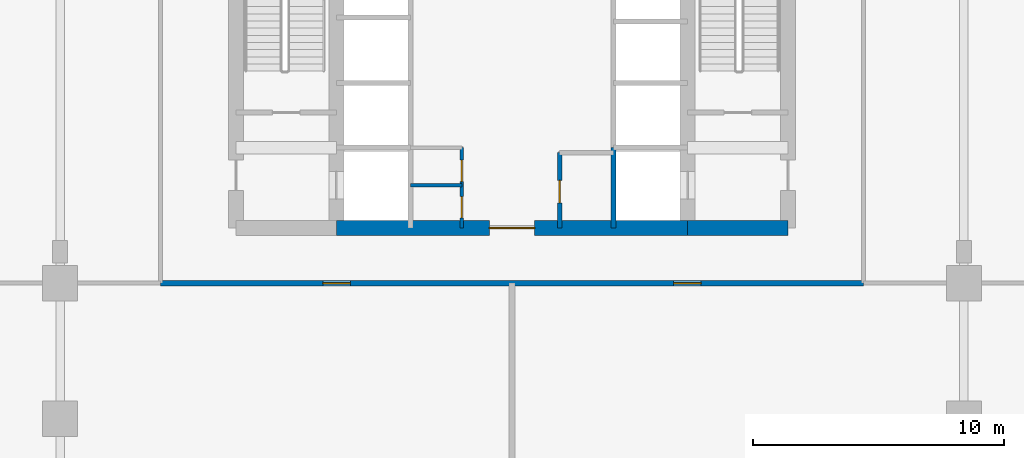
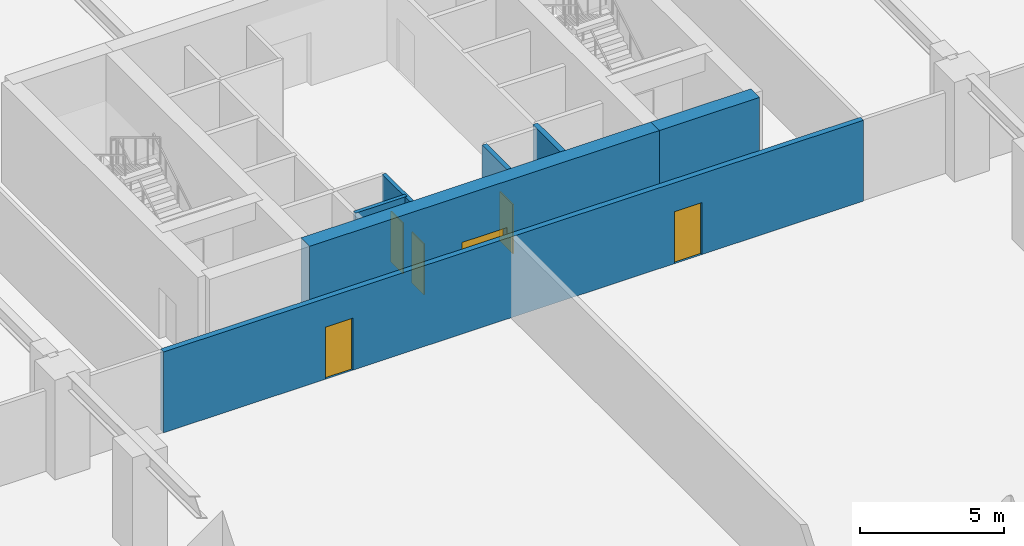
# One storey, part 3 of 11: 7 walls, 6 doors, 6 openings.
"""IFC4 building model written with IfcOpenShell, lengths in metres."""

from ifc_helpers import new_model, si_unit, direction, frame, frame_2d, origin, place, context, subcontext, project, spatial, rectangle, extrude, material, layer, layer_set, type_object, element, fill, save


model = new_model("IFC4")

# Units and contexts
model_context = context("Model", 3, precision=1e-05, world=origin(), true_north=direction((0.0, 1.0)))
body_context = subcontext(model_context, "Body", "Model", "MODEL_VIEW")
ifc_project = project(units=[si_unit("LENGTHUNIT", "METRE"), si_unit("AREAUNIT", "SQUARE_METRE"), si_unit("VOLUMEUNIT", "CUBIC_METRE"), si_unit("PLANEANGLEUNIT", "RADIAN"), si_unit("MASSUNIT", "GRAM", prefix="KILO")], contexts=[model_context])

# Site, building, storey
site_placement = place(None, origin())
site = spatial("IfcSite", under=ifc_project, at=site_placement, CompositionType="ELEMENT")
building_placement = place(site_placement, origin())
building = spatial("IfcBuilding", under=site, at=building_placement, Name="Sarneth Arch Tower", CompositionType="ELEMENT")
storey_placement = place(building_placement, frame((0.0, 0.0, -4.5)))
storey = spatial("IfcBuildingStorey", under=building, at=storey_placement, Name="B01", CompositionType="ELEMENT", Elevation=-4.5)

# Wall, opening, door
ifc_material_1 = material(Name="Concrete C60/75", Category="concrete")
ifc_layer_1 = layer(ifc_material_1, 0.60009765625)
ifc_layer_set_1 = layer_set([ifc_layer_1], Name="Concrete C60/75")
wall_type_1 = type_object("IfcWallType", Name="WALL-CORE-600", PredefinedType="SHEAR", material=ifc_layer_set_1)
wall_1_placement = place(storey_placement, frame((41.0, 35.199951171875, 0.0), z_axis=(0.0, 0.0, 1.0), x_axis=(1.0, 0.0, 0.0)))
wall_1 = element("IfcWall", 1, at=wall_1_placement, inside=storey, type_object=wall_type_1, Name="B01 Core shear wall S-M", PredefinedType="SHEAR", context=body_context, shape_type="SweptSolid", body=[
    extrude(rectangle(XDim=14.0, YDim=0.60009765625, at=frame_2d((7.0, 0.0))), origin(), (0.0, 0.0, 1.0), 4.219970703125),
])
opening_1_placement = place(wall_1_placement, frame((6.10009765625, 0.0, 0.0)))
opening_1 = element("IfcOpeningElement", 2, at=opening_1_placement, cuts=wall_1, Name="Opening FD-01", PredefinedType="OPENING", context=body_context, shape_type="SweptSolid", body=[
    extrude(rectangle(XDim=1.800048828125, YDim=2.25, at=frame_2d((0.89990234375, 1.125))), frame((0.0, 0.31005859375, 0.0), z_axis=(0.0, -1.0, 0.0), x_axis=(1.0, 0.0, 0.0)), (0.0, 0.0, 1.0), 0.6201171875),
])
ifc_material_2 = material(Name="Galvanised Steel S275 fire door set", Category="steel")
door_type_1 = type_object("IfcDoorType", Name="DR-FD90-1800", OperationType="DOUBLE_DOOR_SINGLE_SWING", PredefinedType="DOOR", material=ifc_material_2)
door_1_placement = place(opening_1_placement, origin())
door_1 = element("IfcDoor", 3, at=door_1_placement, inside=storey, type_object=door_type_1, Name="B01 Central lift lobby south door", OperationType="DOUBLE_DOOR_SINGLE_SWING", OverallHeight=2.25, OverallWidth=1.800048828125, PredefinedType="DOOR", context=body_context, shape_type="SweptSolid", body=[
    extrude(rectangle(XDim=1.800048828125, YDim=2.25, at=frame_2d((0.89990234375, 1.125))), frame((0.0, 0.02490234375, 0.0), z_axis=(0.0, -1.0, 0.0), x_axis=(1.0, 0.0, 0.0)), (0.0, 0.0, 1.0), 0.050048828125),
])
fill(opening_1, door_1)

# Wall
wall_2_placement = place(storey_placement, frame((55.0, 35.199951171875, 0.0), z_axis=(0.0, 0.0, 1.0), x_axis=(1.0, 0.0, 0.0)))
element("IfcWall", 4, at=wall_2_placement, inside=storey, type_object=wall_type_1, Name="B01 Core shear wall S-E", PredefinedType="SHEAR", context=body_context, shape_type="SweptSolid", body=[
    extrude(rectangle(XDim=4.0, YDim=0.60009765625, at=frame_2d((2.0, 0.0))), origin(), (0.0, 0.0, 1.0), 4.219970703125),
])

# Wall, openings, doors
ifc_material_3 = material(Name="Aerated concrete blockwork C25/30", Category="masonry")
ifc_layer_2 = layer(ifc_material_3, 0.219970703125)
ifc_layer_set_2 = layer_set([ifc_layer_2], Name="Aerated concrete blockwork C25/30")
wall_type_2 = type_object("IfcWallType", Name="WALL-FIRE-220", PredefinedType="SOLIDWALL", material=ifc_layer_set_2)
wall_3_placement = place(storey_placement, frame((62.0, 33.0, 0.0), z_axis=(0.0, 0.0, 1.0), x_axis=(-1.0, 0.0, 0.0)))
wall_3 = element("IfcWall", 5, at=wall_3_placement, inside=storey, type_object=wall_type_2, Name="B01 Interior partition W-B01-TP-005", PredefinedType="SOLIDWALL", context=body_context, shape_type="SweptSolid", body=[
    extrude(rectangle(XDim=28.0, YDim=0.219970703125, at=frame_2d((14.0, 0.0))), origin(), (0.0, 0.0, 1.0), 3.419921875),
])
opening_2_placement = place(wall_3_placement, frame((20.43408203125, 0.0, 0.0)))
opening_2 = element("IfcOpeningElement", 6, at=opening_2_placement, cuts=wall_3, Name="Opening FD-07", PredefinedType="OPENING", context=body_context, shape_type="SweptSolid", body=[
    extrude(rectangle(XDim=1.10009765625, YDim=2.199951171875, at=frame_2d((0.550048828125, 1.10009765625))), frame((0.0, 0.119873046875, 0.0), z_axis=(0.0, -1.0, 0.0), x_axis=(1.0, 0.0, 0.0)), (0.0, 0.0, 1.0), 0.239990234375),
])
opening_3_placement = place(wall_3_placement, frame((6.466064453125, 0.0, 0.0)))
opening_3 = element("IfcOpeningElement", 7, at=opening_3_placement, cuts=wall_3, Name="Opening FD-07", PredefinedType="OPENING", context=body_context, shape_type="SweptSolid", body=[
    extrude(rectangle(XDim=1.10009765625, YDim=2.199951171875, at=frame_2d((0.550048828125, 1.10009765625))), frame((0.0, 0.119873046875, 0.0), z_axis=(0.0, -1.0, 0.0), x_axis=(1.0, 0.0, 0.0)), (0.0, 0.0, 1.0), 0.239990234375),
])
ifc_material_4 = material(Name="Hardwood timber acoustic fire door", Category="wood")
door_type_2 = type_object("IfcDoorType", Name="DR-FD60-1100", OperationType="SINGLE_SWING_RIGHT", PredefinedType="DOOR", material=ifc_material_4)
door_2_placement = place(opening_2_placement, origin())
door_2 = element("IfcDoor", 8, at=door_2_placement, inside=storey, type_object=door_type_2, Name="B01 Interior door DR-B01-GEN", OperationType="SINGLE_SWING_LEFT", OverallHeight=2.199951171875, OverallWidth=1.10009765625, PredefinedType="DOOR", context=body_context, shape_type="SweptSolid", body=[
    extrude(rectangle(XDim=1.10009765625, YDim=2.199951171875, at=frame_2d((0.550048828125, 1.10009765625))), frame((0.0, 0.02490234375, 0.0), z_axis=(0.0, -1.0, 0.0), x_axis=(1.0, 0.0, 0.0)), (0.0, 0.0, 1.0), 0.050048828125),
])
fill(opening_2, door_2)
door_3_placement = place(opening_3_placement, origin())
door_3 = element("IfcDoor", 9, at=door_3_placement, inside=storey, type_object=door_type_2, Name="B01 Interior door DR-B01-STORE", OperationType="SINGLE_SWING_RIGHT", OverallHeight=2.199951171875, OverallWidth=1.10009765625, PredefinedType="DOOR", context=body_context, shape_type="SweptSolid", body=[
    extrude(rectangle(XDim=1.10009765625, YDim=2.199951171875, at=frame_2d((0.550048828125, 1.10009765625))), frame((0.0, 0.02490234375, 0.0), z_axis=(0.0, -1.0, 0.0), x_axis=(1.0, 0.0, 0.0)), (0.0, 0.0, 1.0), 0.050048828125),
])
fill(opening_3, door_3)

# Wall
ifc_material_5 = material(Name="Acoustic gypsum stud partition", Category="gypsum")
ifc_layer_3 = layer(ifc_material_5, 0.14990234375)
ifc_layer_set_3 = layer_set([ifc_layer_3], Name="Acoustic gypsum stud partition")
wall_type_3 = type_object("IfcWallType", Name="WALL-PART-150", PredefinedType="PARTITIONING", material=ifc_layer_set_3)
wall_4_placement = place(storey_placement, frame((43.949951171875, 36.89990234375, 0.0), z_axis=(0.0, 0.0, 1.0), x_axis=(1.0, 0.0, 0.0)))
element("IfcWall", 10, at=wall_4_placement, inside=storey, type_object=wall_type_3, Name="B01 Interior partition W-B01-CSUP-M", PredefinedType="PARTITIONING", context=body_context, shape_type="SweptSolid", body=[
    extrude(rectangle(XDim=2.050048828125, YDim=0.14990234375, at=frame_2d((1.02490234375, 0.0))), origin(), (0.0, 0.0, 1.0), 3.419921875),
])

# Wall, openings, doors
wall_5_placement = place(storey_placement, frame((46.0, 35.199951171875, 0.0), z_axis=(0.0, 0.0, 1.0), x_axis=(0.0, 1.0, 0.0)))
wall_5 = element("IfcWall", 11, at=wall_5_placement, inside=storey, type_object=wall_type_3, Name="B01 Interior partition W-B01-CSUP-E", PredefinedType="PARTITIONING", context=body_context, shape_type="SweptSolid", body=[
    extrude(rectangle(XDim=3.199951171875, YDim=0.14990234375, at=frame_2d((1.60009765625, 0.0))), origin(), (0.0, 0.0, 1.0), 3.419921875),
])
opening_4_placement = place(wall_5_placement, frame((0.39990234375, 0.0, 0.0)))
opening_4 = element("IfcOpeningElement", 12, at=opening_4_placement, cuts=wall_5, Name="Opening FD-11", PredefinedType="OPENING", context=body_context, shape_type="SweptSolid", body=[
    extrude(rectangle(XDim=0.85009765625, YDim=2.14990234375, at=frame_2d((0.425048828125, 1.074951171875))), frame((0.0, 0.0849609375, 0.0), z_axis=(0.0, -1.0, 0.0), x_axis=(1.0, 0.0, 0.0)), (0.0, 0.0, 1.0), 0.169921875),
])
opening_5_placement = place(wall_5_placement, frame((1.85009765625, 0.0, 0.0)))
opening_5 = element("IfcOpeningElement", 13, at=opening_5_placement, cuts=wall_5, Name="Opening FD-11", PredefinedType="OPENING", context=body_context, shape_type="SweptSolid", body=[
    extrude(rectangle(XDim=0.85009765625, YDim=2.14990234375, at=frame_2d((0.425048828125, 1.074951171875))), frame((0.0, 0.0849609375, 0.0), z_axis=(0.0, -1.0, 0.0), x_axis=(1.0, 0.0, 0.0)), (0.0, 0.0, 1.0), 0.169921875),
])
ifc_material_6 = material(Name="Galvanised Steel S275 closet fire door", Category="steel")
door_type_3 = type_object("IfcDoorType", Name="DR-FD60-850", OperationType="SINGLE_SWING_LEFT", PredefinedType="DOOR", material=ifc_material_6)
door_4_placement = place(opening_4_placement, origin())
door_4 = element("IfcDoor", 14, at=door_4_placement, inside=storey, type_object=door_type_3, Name="B01 Interior door DR-B01-CSUP1", OperationType="SINGLE_SWING_LEFT", OverallHeight=2.14990234375, OverallWidth=0.85009765625, PredefinedType="DOOR", context=body_context, shape_type="SweptSolid", body=[
    extrude(rectangle(XDim=0.85009765625, YDim=2.14990234375, at=frame_2d((0.425048828125, 1.074951171875))), frame((0.0, 0.02490234375, 0.0), z_axis=(0.0, -1.0, 0.0), x_axis=(1.0, 0.0, 0.0)), (0.0, 0.0, 1.0), 0.050048828125),
])
fill(opening_4, door_4)
door_5_placement = place(opening_5_placement, origin())
door_5 = element("IfcDoor", 15, at=door_5_placement, inside=storey, type_object=door_type_3, Name="B01 Interior door DR-B01-CSUP2", OperationType="SINGLE_SWING_RIGHT", OverallHeight=2.14990234375, OverallWidth=0.85009765625, PredefinedType="DOOR", context=body_context, shape_type="SweptSolid", body=[
    extrude(rectangle(XDim=0.85009765625, YDim=2.14990234375, at=frame_2d((0.425048828125, 1.074951171875))), frame((0.0, 0.02490234375, 0.0), z_axis=(0.0, -1.0, 0.0), x_axis=(1.0, 0.0, 0.0)), (0.0, 0.0, 1.0), 0.050048828125),
])
fill(opening_5, door_5)

# Wall, opening, door
ifc_material_7 = material(Name="Moisture-resistant plumbing chase wall", Category="gypsum")
ifc_layer_4 = layer(ifc_material_7, 0.179931640625)
ifc_layer_set_4 = layer_set([ifc_layer_4], Name="Moisture-resistant plumbing chase wall")
wall_type_4 = type_object("IfcWallType", Name="WALL-PLUMB-180", PredefinedType="PLUMBINGWALL", material=ifc_layer_set_4)
wall_6_placement = place(storey_placement, frame((49.89990234375, 35.199951171875, 0.0), z_axis=(0.0, 0.0, 1.0), x_axis=(0.0, 1.0, 0.0)))
wall_6 = element("IfcWall", 16, at=wall_6_placement, inside=storey, type_object=wall_type_4, Name="B01 Interior partition W-B01-AWC-W", PredefinedType="PLUMBINGWALL", context=body_context, shape_type="SweptSolid", body=[
    extrude(rectangle(XDim=3.0, YDim=0.179931640625, at=frame_2d((1.5, 0.0))), origin(), (0.0, 0.0, 1.0), 3.419921875),
])
opening_6_placement = place(wall_6_placement, frame((1.0, 0.0, 0.0)))
opening_6 = element("IfcOpeningElement", 17, at=opening_6_placement, cuts=wall_6, Name="Opening ID-01", PredefinedType="OPENING", context=body_context, shape_type="SweptSolid", body=[
    extrude(rectangle(XDim=0.89990234375, YDim=2.10009765625, at=frame_2d((0.449951171875, 1.050048828125))), frame((0.0, 0.099853515625, 0.0), z_axis=(0.0, -1.0, 0.0), x_axis=(1.0, 0.0, 0.0)), (0.0, 0.0, 1.0), 0.199951171875),
])
ifc_material_8 = material(Name="Engineered hardwood flush door", Category="wood")
door_type_4 = type_object("IfcDoorType", Name="DR-INT-900", OperationType="SINGLE_SWING_LEFT", PredefinedType="DOOR", material=ifc_material_8)
door_6_placement = place(opening_6_placement, origin())
door_6 = element("IfcDoor", 18, at=door_6_placement, inside=storey, type_object=door_type_4, Name="B01 Interior door DR-B01-AWC", OperationType="SINGLE_SWING_RIGHT", OverallHeight=2.10009765625, OverallWidth=0.89990234375, PredefinedType="DOOR", context=body_context, shape_type="SweptSolid", body=[
    extrude(rectangle(XDim=0.89990234375, YDim=2.10009765625, at=frame_2d((0.449951171875, 1.050048828125))), frame((0.0, 0.02490234375, 0.0), z_axis=(0.0, -1.0, 0.0), x_axis=(1.0, 0.0, 0.0)), (0.0, 0.0, 1.0), 0.050048828125),
])
fill(opening_6, door_6)

# Wall
ifc_material_9 = material(Name="Aerated concrete blockwork C25/30", Category="masonry")
ifc_layer_5 = layer(ifc_material_9, 0.199951171875)
ifc_layer_set_5 = layer_set([ifc_layer_5], Name="Aerated concrete blockwork C25/30")
wall_type_5 = type_object("IfcWallType", Name="WALL-SHAFT-200", PredefinedType="SOLIDWALL", material=ifc_layer_set_5)
wall_7_placement = place(storey_placement, frame((52.050048828125, 35.199951171875, 0.0), z_axis=(0.0, 0.0, 1.0), x_axis=(0.0, 1.0, 0.0)))
element("IfcWall", 19, at=wall_7_placement, inside=storey, type_object=wall_type_5, Name="B01 Interior partition W-B01-FL2-W", PredefinedType="SOLIDWALL", context=body_context, shape_type="SweptSolid", body=[
    extrude(rectangle(XDim=3.199951171875, YDim=0.199951171875, at=frame_2d((1.60009765625, 0.0))), origin(), (0.0, 0.0, 1.0), 3.419921875),
])

save(model, "model.ifc")
